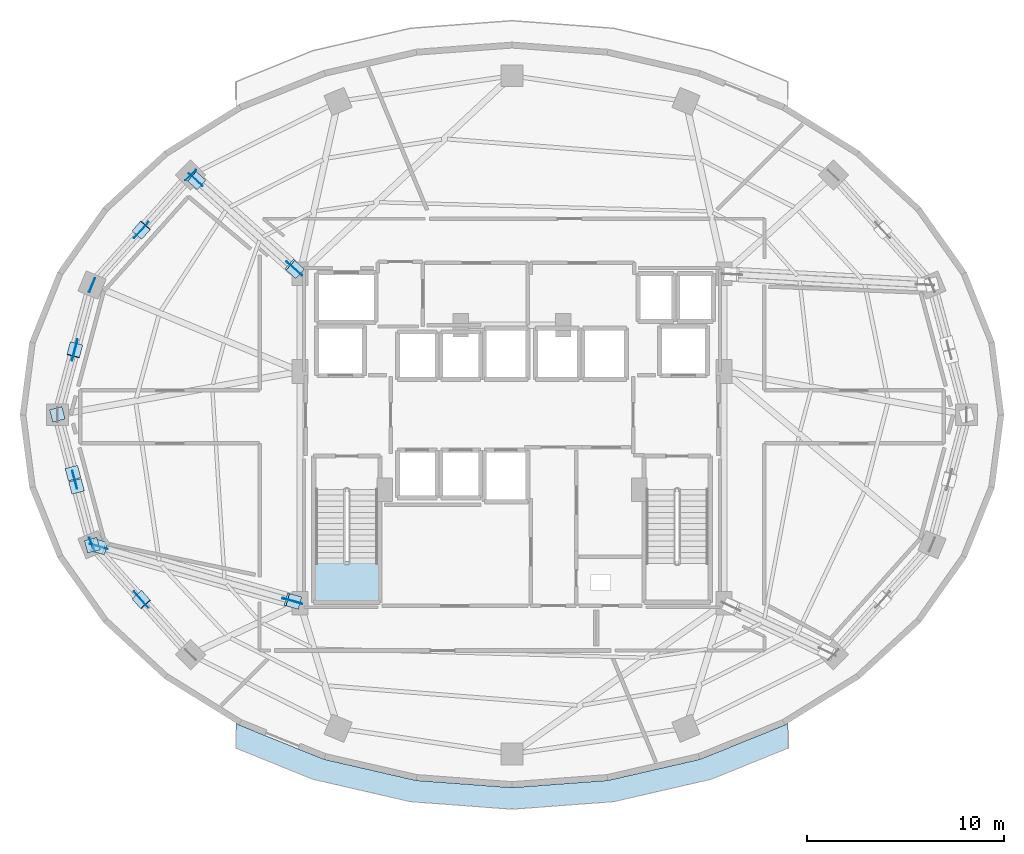
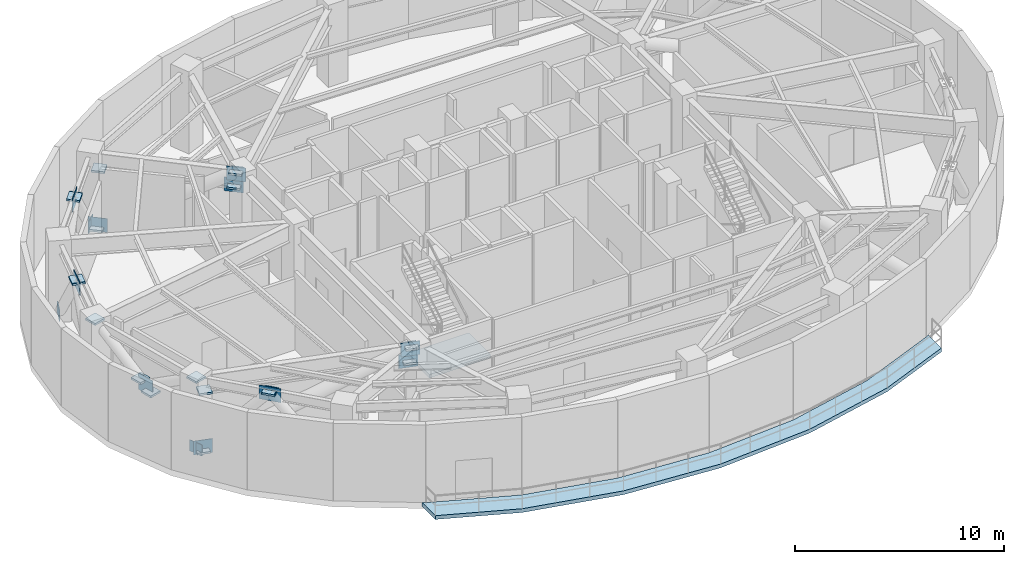
# One storey, part 3 of 11: 31 plates, 2 slabs, 1 element without a shape of its own.
"""IFC4 building model written with IfcOpenShell, lengths in metres."""

from ifc_helpers import new_model, si_unit, direction, frame, origin, origin_2d, place, context, subcontext, project, spatial, polyline, rectangle, outline, extrude, material, layer, layer_set, type_object, element, aggregate, save


model = new_model("IFC4")

# Units and contexts
model_context = context("Model", 3, precision=1e-05, world=origin(), true_north=direction((0.0, 1.0)))
body_context = subcontext(model_context, "Body", "Model", "MODEL_VIEW")
ifc_project = project(units=[si_unit("LENGTHUNIT", "METRE"), si_unit("AREAUNIT", "SQUARE_METRE"), si_unit("VOLUMEUNIT", "CUBIC_METRE"), si_unit("PLANEANGLEUNIT", "RADIAN"), si_unit("MASSUNIT", "GRAM", prefix="KILO")], contexts=[model_context])

# Site, building, storey
site_placement = place(None, origin())
site = spatial("IfcSite", under=ifc_project, at=site_placement, CompositionType="ELEMENT")
building_placement = place(site_placement, origin())
building = spatial("IfcBuilding", under=site, at=building_placement, Name="Vorneva Point Tower", CompositionType="ELEMENT")
storey_placement = place(building_placement, frame((0.0, 0.0, 124.300048828125)))
storey = spatial("IfcBuildingStorey", under=building, at=storey_placement, Name="L33", CompositionType="ELEMENT", Elevation=124.300048828125)

# Plates
ifc_material_1 = material(Name="Steel S355", Category="steel")
ifc_layer_1 = layer(ifc_material_1, 0.028076171875)
ifc_layer_set_1 = layer_set([ifc_layer_1], Name="Steel S355")
plate_type_1 = type_object("IfcPlateType", Name="PLT-CAP-INT", PredefinedType="USERDEFINED", material=ifc_layer_set_1)
for number, where, z_axis, x_axis, name in (
    (1, (19.189697265625, 35.357421875, 4.3564453125), (0.0, 0.0, 1.0), (-0.667091755948, -0.744975562784, 0.0), "L33 Perimeter Belt-Truss Diagonal 07A end closure plate 2"),
    (2, (19.216064453125, 35.386962890625, 4.3564453125), (0.0, 0.0, 1.0), (0.667091755948, 0.744975562784, 0.0), "L33 Perimeter Belt-Truss Diagonal 07B end closure plate 2"),
    (3, (15.822509765625, 29.27294921875, 4.357421875), (0.0, 0.0, 1.0), (-0.257571294219, -0.966259296666, 0.0), "L33 Perimeter Belt-Truss Diagonal 08A end closure plate 2"),
    (4, (15.83203125, 29.30908203125, 4.357421875), (0.0, 0.0, 1.0), (0.257571294219, 0.966259296666, 0.0), "L33 Perimeter Belt-Truss Diagonal 08B end closure plate 2"),
    (5, (16.711181640625, 19.393310546875, 4.349609375), (0.0, 0.0, 1.0), (0.257571294219, -0.966259296666, 0.0), "L33 Perimeter Belt-Truss Continuous X-Brace 09A end closure plate 2"),
    (6, (15.916748046875, 22.373291015625, 1.98095703125), (0.0, 0.0, 1.0), (-0.257571294219, 0.966259296666, 0.0), "L33 Perimeter Belt-Truss Split X-Brace 09B1 end closure plate 2"),
    (7, (15.73779296875, 23.04443359375, 2.41650390625), (0.0, 0.0, 1.0), (-0.257571294219, 0.966259296666, 0.0), "L33 Perimeter Belt-Truss Split X-Brace 09B2 end closure plate 1"),
    (8, (14.943603515625, 26.024658203125, 4.349609375), (0.0, 0.0, 1.0), (-0.257571294219, 0.966259296666, 0.0), "L33 Perimeter Belt-Truss Split X-Brace 09B2 end closure plate 2"),
    (9, (19.216064453125, 16.613037109375, 4.3564453125), (0.0, 0.0, 1.0), (0.667091755948, -0.744975562784, 0.0), "L33 Perimeter Belt-Truss Diagonal 10A end closure plate 2"),
    (10, (19.189697265625, 16.642578125, 4.3564453125), (0.0, 0.0, 1.0), (-0.667091755948, 0.744975562784, 0.0), "L33 Perimeter Belt-Truss Diagonal 10B end closure plate 2"),
    (11, (27.009033203125, 33.36767578125, 4.35009765625), (0.0, 0.0, 1.0), (-0.742081142188, 0.670310061396, 0.0), "L33 Core Outrigger Diagonal 07A end closure plate 1"),
    (12, (21.942138671875, 37.944580078125, 0.0478515625), (0.0, 0.0, 1.0), (-0.742081142188, 0.670310061396, 0.0), "L33 Core Outrigger Diagonal 07A end closure plate 2"),
    (13, (26.9384765625, 33.431396484375, 3.51416015625), (0.0, 0.0, 1.0), (-0.742081142188, 0.670310061396, 0.0), "L33 Core Outrigger Collector Strut 07B end closure plate 1"),
    (14, (22.0126953125, 37.880615234375, 3.51416015625), (0.0, 0.0, 1.0), (-0.742081142188, 0.670310061396, 0.0), "L33 Core Outrigger Collector Strut 07B end closure plate 2"),
    (15, (26.939697265625, 16.537353515625, 4.34521484375), (0.0, 0.0, 1.0), (-0.962606687284, 0.270902871149, 0.0), "L33 Core Outrigger Diagonal 10A end closure plate 1"),
    (16, (17.014892578125, 19.33056640625, 0.05224609375), (0.0, 0.0, 1.0), (-0.962606687284, 0.270902871149, 0.0), "L33 Core Outrigger Diagonal 10A end closure plate 2"),
    (17, (26.845703125, 16.563720703125, 3.51416015625), (0.0, 0.0, 1.0), (-0.962606687284, 0.270902871149, 0.0), "L33 Core Outrigger Collector Strut 10B end closure plate 1"),
    (18, (17.10888671875, 19.303955078125, 3.51416015625), (0.0, 0.0, 1.0), (-0.962606687284, 0.270902871149, 0.0), "L33 Core Outrigger Collector Strut 10B end closure plate 2"),
):
    element("IfcPlate", number, at=place(storey_placement, frame(where, z_axis=z_axis, x_axis=x_axis)), inside=storey, type_object=plate_type_1, Name=name, ObjectType="BASE PLATE", PredefinedType="USERDEFINED", context=body_context, shape_type="SweptSolid", body=[
        extrude(rectangle(XDim=0.64990234375, YDim=0.64990234375, at=origin_2d()), origin(), (0.0, 0.0, 1.0), 0.112060546875),
    ])
ifc_material_2 = material(Name="Steel S460", Category="steel")
ifc_layer_2 = layer(ifc_material_2, 0.031982421875)
ifc_layer_set_2 = layer_set([ifc_layer_2], Name="Steel S460")
plate_type_2 = type_object("IfcPlateType", Name="PLT-GUS-32", PredefinedType="USERDEFINED", material=ifc_layer_set_2)
for number, where, z_axis, x_axis, name in (
    (19, (19.202880859375, 35.372314453125, 3.85009765625), (0.0, 0.0, 1.0), (-0.667091755948, -0.744975562784, 0.0), "L33 Belt-Truss Apex Gusset Plate 07"),
    (20, (15.827392578125, 29.291015625, 3.85009765625), (0.0, 0.0, 1.0), (-0.257571294219, -0.966259296666, 0.0), "L33 Belt-Truss Apex Gusset Plate 08"),
):
    element("IfcPlate", number, at=place(storey_placement, frame(where, z_axis=z_axis, x_axis=x_axis)), inside=storey, type_object=plate_type_2, Name=name, ObjectType="GUSSET PLATE", PredefinedType="USERDEFINED", context=body_context, shape_type="SweptSolid", body=[
        extrude(rectangle(XDim=1.10009765625, YDim=0.031982421875, at=origin_2d()), origin(), (0.0, 0.0, 1.0), 0.800048828125),
    ])
plate_1_placement = place(storey_placement, frame((15.827392578125, 22.708984375, 1.77978515625), z_axis=(0.0, 0.0, 1.0), x_axis=(0.257571294219, -0.966259296666, 0.0)))
element("IfcPlate", 21, at=plate_1_placement, inside=storey, type_object=plate_type_2, Name="L33 Belt-Truss X-Brace Central Node Gusset Plate 09", ObjectType="GUSSET PLATE", PredefinedType="USERDEFINED", context=body_context, shape_type="SweptSolid", body=[
    extrude(rectangle(XDim=0.949951171875, YDim=0.031982421875, at=origin_2d()), origin(), (0.0, 0.0, 1.0), 0.949951171875),
])
plate_2_placement = place(storey_placement, frame((19.202880859375, 16.627685546875, 3.85009765625), z_axis=(0.0, 0.0, 1.0), x_axis=(0.667091755948, -0.744975562784, 0.0)))
element("IfcPlate", 22, at=plate_2_placement, inside=storey, type_object=plate_type_2, Name="L33 Belt-Truss Apex Gusset Plate 10", ObjectType="GUSSET PLATE", PredefinedType="USERDEFINED", context=body_context, shape_type="SweptSolid", body=[
    extrude(rectangle(XDim=1.10009765625, YDim=0.031982421875, at=origin_2d()), origin(), (0.0, 0.0, 1.0), 0.800048828125),
])
for number, where, z_axis, x_axis, name in (
    (23, (21.701171875, 38.162109375, -0.054931640625), (0.0, 0.0, 1.0), (-0.707106781187, -0.707106781187, 0.0), "L33 Belt-Truss Column Base Gusset Plate 07"),
    (24, (16.70458984375, 32.582275390625, -0.054931640625), (0.0, 0.0, 1.0), (-0.382683432365, -0.923879532511, 0.0), "L33 Belt-Truss Column Base Gusset Plate 08"),
    (25, (16.70458984375, 19.417724609375, -0.054931640625), (0.0, 0.0, 1.0), (0.382683432365, -0.923879532511, 0.0), "L33 Belt-Truss Column Base Gusset Plate 10"),
):
    element("IfcPlate", number, at=place(storey_placement, frame(where, z_axis=z_axis, x_axis=x_axis)), inside=storey, type_object=plate_type_2, Name=name, ObjectType="GUSSET PLATE", PredefinedType="USERDEFINED", context=body_context, shape_type="SweptSolid", body=[
        extrude(rectangle(XDim=0.75, YDim=0.031982421875, at=origin_2d()), origin(), (0.0, 0.0, 1.0), 0.64990234375),
    ])
for number, where, z_axis, x_axis, name in (
    (26, (26.990234375, 33.384521484375, 3.830078125), (0.0, 0.0, 1.0), (-0.742081142188, 0.670310061396, 0.0), "L33 Outrigger Core Wall Anchorage Gusset 07"),
    (27, (26.916015625, 33.45166015625, 3.169921875), (0.0, 0.0, 1.0), (-0.742081142188, 0.670310061396, 0.0), "L33 Outrigger Core Collector Link Gusset 07"),
    (28, (21.9609375, 37.927490234375, -0.1201171875), (0.0, 0.0, 1.0), (-0.742081142188, 0.670310061396, 0.0), "L33 Outrigger Perimeter Column Gusset 07"),
    (29, (26.9130859375, 16.544921875, 3.830078125), (0.0, 0.0, 1.0), (-0.962606687284, 0.270902871149, 0.0), "L33 Outrigger Core Wall Anchorage Gusset 10"),
    (30, (26.81689453125, 16.572021484375, 3.169921875), (0.0, 0.0, 1.0), (-0.962606687284, 0.270902871149, 0.0), "L33 Outrigger Core Collector Link Gusset 10"),
    (31, (17.04150390625, 19.322998046875, -0.1201171875), (0.0, 0.0, 1.0), (-0.962606687284, 0.270902871149, 0.0), "L33 Outrigger Perimeter Column Gusset 10"),
):
    element("IfcPlate", number, at=place(storey_placement, frame(where, z_axis=z_axis, x_axis=x_axis)), inside=storey, type_object=plate_type_2, Name=name, ObjectType="GUSSET PLATE", PredefinedType="USERDEFINED", context=body_context, shape_type="SweptSolid", body=[
        extrude(rectangle(XDim=0.949951171875, YDim=0.031982421875, at=origin_2d()), origin(), (0.0, 0.0, 1.0), 0.800048828125),
    ])

# Slab
ifc_material_3 = material(Name="Concrete B50 (C40/50)", Category="concrete")
ifc_layer_3 = layer(ifc_material_3, 0.219970703125)
ifc_layer_set_3 = layer_set([ifc_layer_3], Name="Concrete B50 (C40/50)")
slab_type_1 = type_object("IfcSlabType", Name="SLB-BAL-220", PredefinedType="FLOOR", material=ifc_layer_set_3)
slab_1_placement = place(storey_placement, frame((0.0, 0.0, -0.219970703125)))
element("IfcSlab", 32, at=slab_1_placement, inside=storey, type_object=slab_type_1, Name="L33 Recessed Sky Garden Terrace SOUTH", PredefinedType="FLOOR", context=body_context, shape_type="SweptSolid", body=[
    extrude(outline(polyline([(52.0, 9.1005859375), (52.0, 10.36669921875), (51.863525390625, 10.28173828125), (51.86328125, 10.281494140625), (51.863037109375, 10.281494140625), (47.549560546875, 8.534912109375), (47.54931640625, 8.534912109375), (47.548828125, 8.534912109375), (42.868408203125, 7.459228515625), (42.8681640625, 7.459228515625), (42.867919921875, 7.459228515625), (38.000244140625, 7.095947265625), (38.0, 7.095947265625), (37.999755859375, 7.095947265625), (33.132080078125, 7.459228515625), (33.1318359375, 7.459228515625), (33.131591796875, 7.459228515625), (28.451171875, 8.534912109375), (28.45068359375, 8.534912109375), (28.450439453125, 8.534912109375), (24.136962890625, 10.281494140625), (24.13671875, 10.281494140625), (24.136474609375, 10.28173828125), (24.0, 10.36669921875), (24.0, 9.1005859375), (27.897216796875, 7.5224609375), (32.849609375, 6.38427734375), (38.0, 6.0), (43.150390625, 6.38427734375), (48.102783203125, 7.5224609375), (52.0, 9.1005859375)])), origin(), (0.0, 0.0, 1.0), 0.219970703125),
])

# Stair, slab
stair_type = type_object("IfcStairType", Name="ST-DOG-1500", PredefinedType="HALF_TURN_STAIR", material=ifc_material_3)
stair_placement = place(storey_placement, origin())
stair = element("IfcStair", 33, at=stair_placement, inside=storey, type_object=stair_type, Name="L33 ST1", PredefinedType="HALF_TURN_STAIR")
ifc_layer_4 = layer(ifc_material_3, 0.199951171875)
ifc_layer_set_4 = layer_set([ifc_layer_4], Name="Concrete B50 (C40/50)")
slab_type_2 = type_object("IfcSlabType", Name="SLB-LND-200", PredefinedType="LANDING", material=ifc_layer_set_4)
slab_2_placement = place(storey_placement, frame((0.0, 0.0, 2.199951171875)))
slab_2 = element("IfcSlab", 34, at=slab_2_placement, type_object=slab_type_2, Name="ST1 landing 1", PredefinedType="LANDING", context=body_context, shape_type="SweptSolid", body=[
    extrude(outline(polyline([(27.929931640625, 16.47998046875), (31.320068359375, 16.47998046875), (31.320068359375, 18.570068359375), (27.929931640625, 18.570068359375), (27.929931640625, 16.47998046875)])), origin(), (0.0, 0.0, 1.0), 0.199951171875),
])
aggregate(stair, [slab_2])

save(model, "model.ifc")
